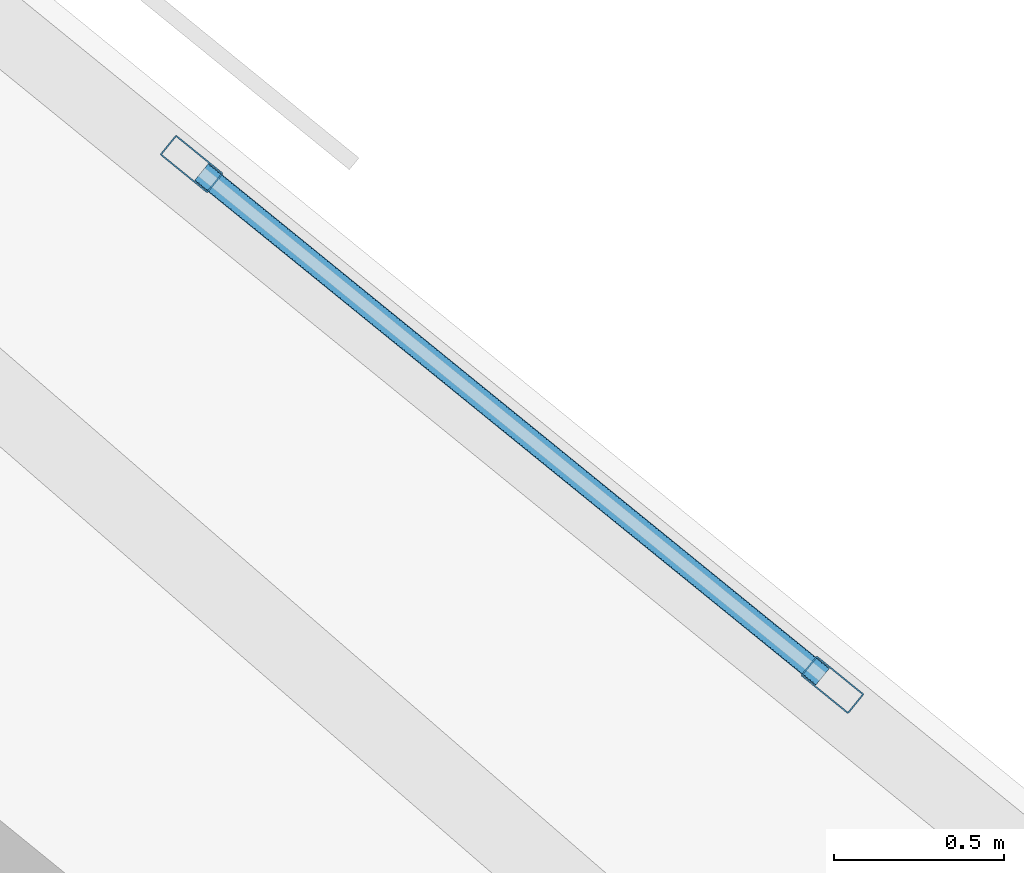
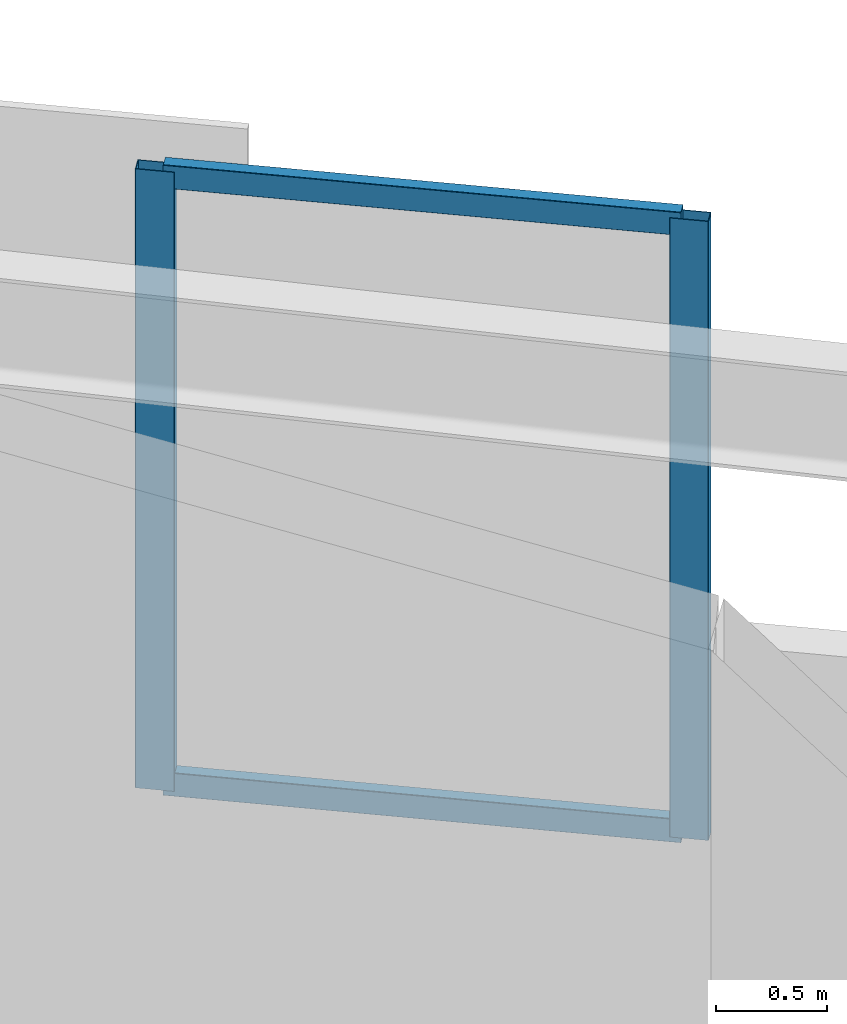
# One storey, part 2 of 17: 4 members, 1 element without a shape of its own.
"""IFC4 building model written with IfcOpenShell, lengths in metres."""

from ifc_helpers import new_model, si_unit, direction, frame, origin, origin_2d, place, context, subcontext, project, spatial, hollow_rectangle, extrude, material, material_profile, profile_set, type_object, element, aggregate, save


model = new_model("IFC4")

# Units and contexts
model_context = context("Model", 3, precision=1e-05, world=origin(), true_north=direction((0.0, 1.0)))
body_context = subcontext(model_context, "Body", "Model", "MODEL_VIEW")
ifc_project = project(units=[si_unit("LENGTHUNIT", "METRE"), si_unit("AREAUNIT", "SQUARE_METRE"), si_unit("VOLUMEUNIT", "CUBIC_METRE"), si_unit("PLANEANGLEUNIT", "RADIAN"), si_unit("MASSUNIT", "GRAM", prefix="KILO")], contexts=[model_context])

# Site, building, storey
site_placement = place(None, origin())
site = spatial("IfcSite", under=ifc_project, at=site_placement, CompositionType="ELEMENT")
building_placement = place(site_placement, origin())
building = spatial("IfcBuilding", under=site, at=building_placement, Name="Narakoshi Arena Tower", CompositionType="ELEMENT")
storey_placement = place(building_placement, frame((0.0, 0.0, 48.300048828125)))
storey = spatial("IfcBuildingStorey", under=building, at=storey_placement, Name="L12", CompositionType="ELEMENT", Elevation=48.300048828125)

# Curtain wall, members
ifc_material = material(Name="Anodised bronze aluminium 6063-T6", Category="aluminium")
curtain_wall_type = type_object("IfcCurtainWallType", Name="CW-HYP-LOW", PredefinedType="NOTDEFINED", material=ifc_material)
curtain_wall_placement = place(storey_placement, origin())
curtain_wall = element("IfcCurtainWall", 1, at=curtain_wall_placement, inside=storey, type_object=curtain_wall_type, Name="L12 Folded Hypotenuse Curtain Wall 2-1", PredefinedType="NOTDEFINED")
ifc_material_profile_1 = material_profile(ifc_material, hollow_rectangle(XDim=0.074951171875, YDim=0.179931640625, WallThickness=0.00390625, OuterFilletRadius=0.0048828125, at=origin_2d()), Name="MUL180x75x4")
ifc_profile_set_1 = profile_set([ifc_material_profile_1], Name="Anodised bronze aluminium 6063-T6")
member_type_1 = type_object("IfcMemberType", Name="MEM-MUL-180", PredefinedType="MULLION", material=ifc_profile_set_1)
member_1_placement = place(storey_placement, frame((93.34521484375, 59.196533203125, 0.0), z_axis=(0.0, 0.0, 1.0), x_axis=(-0.63072316495, -0.776007918256, 0.0)))
member_1 = element("IfcMember", 2, at=member_1_placement, type_object=member_type_1, Name="CW-01 mullion 1", PredefinedType="MULLION", context=body_context, shape_type="SweptSolid", body=[
    extrude(hollow_rectangle(XDim=0.074951171875, YDim=0.179931640625, WallThickness=0.00390625, OuterFilletRadius=0.0048828125, at=origin_2d()), origin(), (0.0, 0.0, 1.0), 3.39990234375),
])
member_2_placement = place(storey_placement, frame((91.45654296875, 60.731689453125, 0.0), z_axis=(0.0, 0.0, 1.0), x_axis=(-0.63072316495, -0.776007918256, 0.0)))
member_2 = element("IfcMember", 3, at=member_2_placement, type_object=member_type_1, Name="CW-01 mullion 2", PredefinedType="MULLION", context=body_context, shape_type="SweptSolid", body=[
    extrude(hollow_rectangle(XDim=0.074951171875, YDim=0.179931640625, WallThickness=0.00390625, OuterFilletRadius=0.0048828125, at=origin_2d()), origin(), (0.0, 0.0, 1.0), 3.39990234375),
])
ifc_material_profile_2 = material_profile(ifc_material, hollow_rectangle(XDim=0.06494140625, YDim=0.1298828125, WallThickness=0.00390625, OuterFilletRadius=0.0048828125, at=origin_2d()), Name="TRN130x65x4")
ifc_profile_set_2 = profile_set([ifc_material_profile_2], Name="Anodised bronze aluminium 6063-T6")
member_type_2 = type_object("IfcMemberType", Name="MEM-TRN-130", PredefinedType="USERDEFINED", material=ifc_profile_set_2)
member_3_placement = place(storey_placement, frame((93.316162109375, 59.22021484375, 0.032470703125), z_axis=(-0.776019017778, 0.630709508448, 0.0), x_axis=(-0.630709508448, -0.776019017778, 0.0)))
member_3 = element("IfcMember", 4, at=member_3_placement, type_object=member_type_2, Name="CW-01 transom 1.1", ObjectType="TRANSOM", PredefinedType="USERDEFINED", context=body_context, shape_type="SweptSolid", body=[
    extrude(hollow_rectangle(XDim=0.06494140625, YDim=0.1298828125, WallThickness=0.00390625, OuterFilletRadius=0.0048828125, at=origin_2d()), origin(), (0.0, 0.0, 1.0), 2.35888671875),
])
member_4_placement = place(storey_placement, frame((93.316162109375, 59.22021484375, 3.367431640625), z_axis=(-0.776019017778, 0.630709508448, 0.0), x_axis=(-0.630709508448, -0.776019017778, 0.0)))
member_4 = element("IfcMember", 5, at=member_4_placement, type_object=member_type_2, Name="CW-01 transom 1.2", ObjectType="TRANSOM", PredefinedType="USERDEFINED", context=body_context, shape_type="SweptSolid", body=[
    extrude(hollow_rectangle(XDim=0.06494140625, YDim=0.1298828125, WallThickness=0.00390625, OuterFilletRadius=0.0048828125, at=origin_2d()), origin(), (0.0, 0.0, 1.0), 2.35888671875),
])
aggregate(curtain_wall, [member_1, member_2, member_3, member_4])

save(model, "model.ifc")
